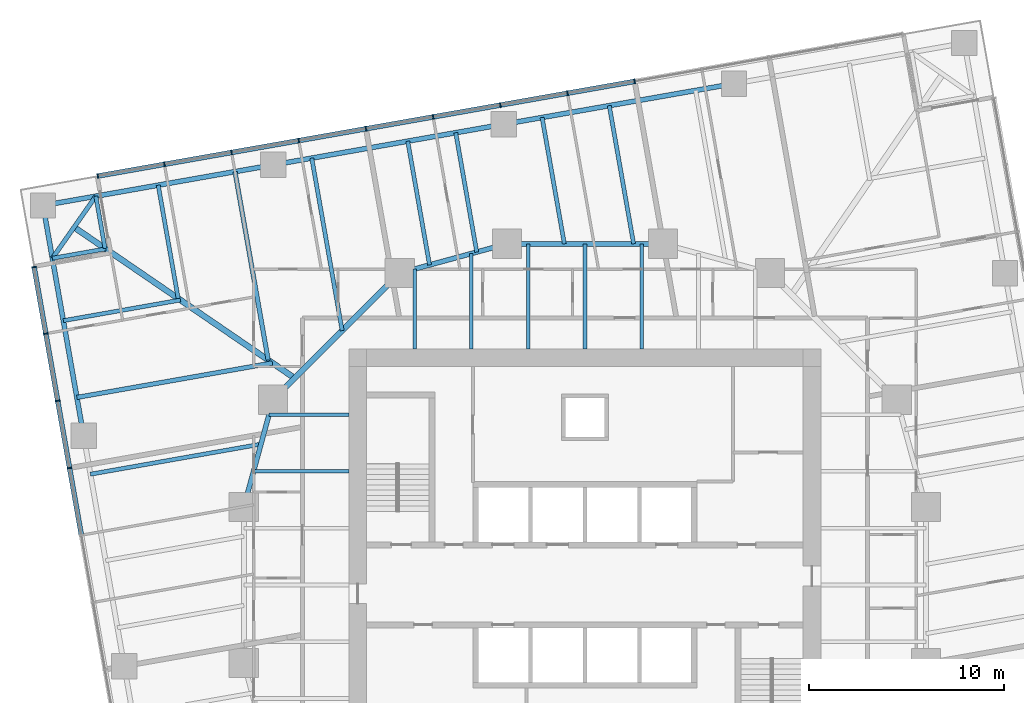
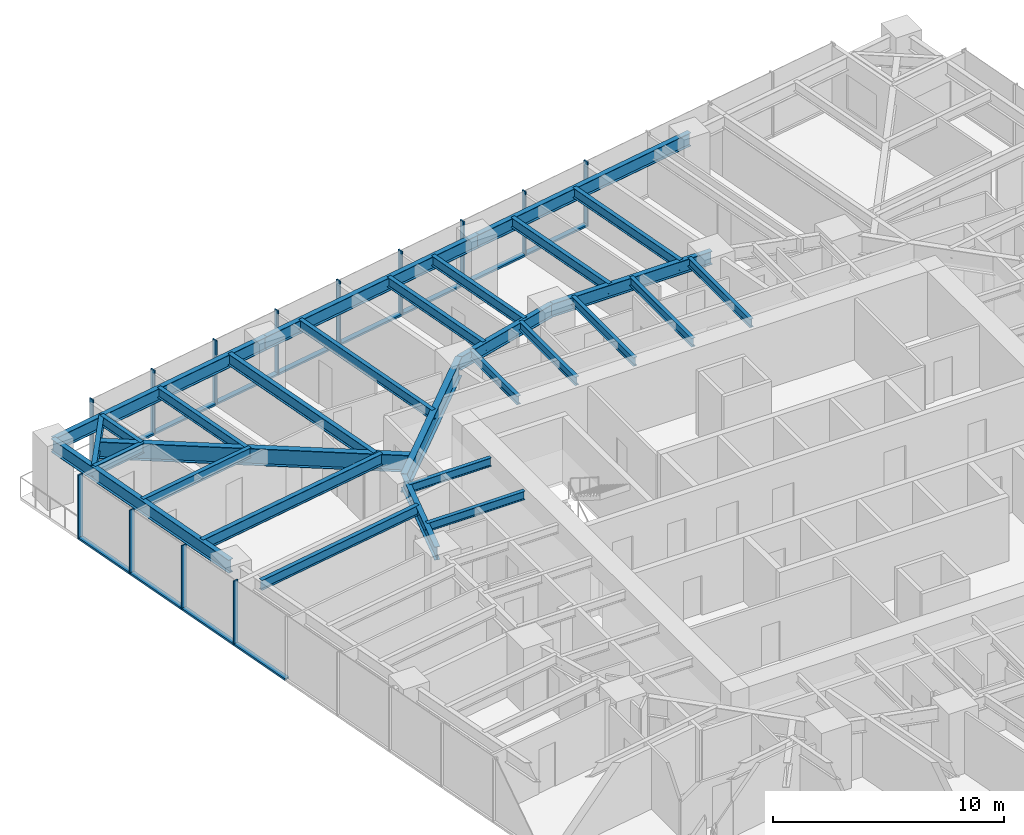
# One storey, part 5 of 14: 29 beams, 25 members, 2 elements without a shape of their own.
"""IFC4 building model written with IfcOpenShell, lengths in metres."""

from ifc_helpers import new_model, si_unit, direction, frame, origin, origin_2d, place, context, subcontext, project, spatial, rectangle, i_section, extrude, material, material_profile, profile_set, type_object, element, aggregate, save


model = new_model("IFC4")

# Units and contexts
model_context = context("Model", 3, precision=1e-05, world=origin(), true_north=direction((0.0, 1.0)))
body_context = subcontext(model_context, "Body", "Model", "MODEL_VIEW")
ifc_project = project(units=[si_unit("LENGTHUNIT", "METRE"), si_unit("AREAUNIT", "SQUARE_METRE"), si_unit("VOLUMEUNIT", "CUBIC_METRE"), si_unit("PLANEANGLEUNIT", "RADIAN"), si_unit("MASSUNIT", "GRAM", prefix="KILO")], contexts=[model_context])

# Site, building, storey
site_placement = place(None, origin())
site = spatial("IfcSite", under=ifc_project, at=site_placement, CompositionType="ELEMENT")
building_placement = place(site_placement, origin())
building = spatial("IfcBuilding", under=site, at=building_placement, Name="Torsade Residences", CompositionType="ELEMENT")
storey_placement = place(building_placement, frame((0.0, 0.0, 93.0)))
storey = spatial("IfcBuildingStorey", under=building, at=storey_placement, Name="L25", CompositionType="ELEMENT", Elevation=93.0)

# Beams
ifc_material_1 = material(Name="Steel grade 300", Category="steel")
ifc_material_profile_1 = material_profile(ifc_material_1, i_section(OverallWidth=0.300048828125, OverallDepth=0.89990234375, WebThickness=0.011962890625, FlangeThickness=0.02490234375, at=origin_2d()), Name="900WB175")
ifc_profile_set_1 = profile_set([ifc_material_profile_1], Name="Steel grade 300")
beam_type_1 = type_object("IfcBeamType", Name="CORNER GIRDER 900WB175", PredefinedType="BEAM", material=ifc_profile_set_1)
beam_1_placement = place(storey_placement, frame((13.7900390625, 48.3525390625, 2.800048828125), z_axis=(0.825279313977, -0.564724759437, 0.0), x_axis=(0.564724759437, 0.825279313977, 0.0)))
element("IfcBeam", 1, at=beam_1_placement, inside=storey, type_object=beam_type_1, Name="Corner girder 13 L26", PredefinedType="BEAM", context=body_context, shape_type="SweptSolid", body=[
    extrude(i_section(OverallWidth=0.300048828125, OverallDepth=0.89990234375, WebThickness=0.011962890625, FlangeThickness=0.02490234375, at=origin_2d()), origin(), (0.0, 0.0, 1.0), 13.7138671875),
])
ifc_material_2 = material(Name="Steel grade 300", Category="steel")
ifc_material_profile_2 = material_profile(ifc_material_2, i_section(OverallWidth=0.22802734375, OverallDepth=0.60205078125, WebThickness=0.010498046875, FlangeThickness=0.014892578125, FilletRadius=0.013916015625, at=origin_2d()), Name="610UB101")
ifc_profile_set_2 = profile_set([ifc_material_profile_2], Name="Steel grade 300")
beam_type_2 = type_object("IfcBeamType", Name="CORNER TRIMMER 610UB101", PredefinedType="BEAM", material=ifc_profile_set_2)
beam_2_placement = place(storey_placement, frame((12.674560546875, 46.759521484375, 2.948974609375), z_axis=(0.573576092373, 0.819152285145, 0.0), x_axis=(-0.819152285145, 0.573576092373, 0.0)))
element("IfcBeam", 2, at=beam_2_placement, inside=storey, type_object=beam_type_2, Name="Corner trimmer 13 L26", PredefinedType="BEAM", context=body_context, shape_type="SweptSolid", body=[
    extrude(i_section(OverallWidth=0.22802734375, OverallDepth=0.60205078125, WebThickness=0.010498046875, FlangeThickness=0.014892578125, FilletRadius=0.013916015625, at=origin_2d()), origin(), (0.0, 0.0, 1.0), 3.88916015625),
])

# Curtain wall, members
ifc_material_3 = material(Name="Aluminium and glass", Category="aluminium")
curtain_wall_type = type_object("IfcCurtainWallType", Name="FRITTED GLASS CURTAIN WALL LOW ZONE", PredefinedType="NOTDEFINED", material=ifc_material_3)
curtain_wall_1_placement = place(storey_placement, origin())
curtain_wall_1 = element("IfcCurtainWall", 3, at=curtain_wall_1_placement, inside=storey, type_object=curtain_wall_type, Name="Curtain wall L25 face 7", PredefinedType="NOTDEFINED")
ifc_material_4 = material(Name="Aluminium mullion", Category="aluminium")
ifc_material_profile_3 = material_profile(ifc_material_4, rectangle(XDim=0.25, YDim=0.06494140625, at=origin_2d()), Name="CURTAIN WALL MULLION 250x65")
ifc_profile_set_3 = profile_set([ifc_material_profile_3], Name="Aluminium mullion")
member_type_1 = type_object("IfcMemberType", Name="CURTAIN WALL MULLION 250x65", PredefinedType="MULLION", material=ifc_profile_set_3)
member_1_placement = place(storey_placement, frame((42.552490234375, 55.835693359375, 0.0), z_axis=(0.0, 0.0, 1.0), x_axis=(0.173648192638, -0.984807750372, 0.0)))
member_1 = element("IfcMember", 4, at=member_1_placement, type_object=member_type_1, Name="Mullion 5", PredefinedType="MULLION", context=body_context, shape_type="SweptSolid", body=[
    extrude(rectangle(XDim=0.25, YDim=0.06494140625, at=origin_2d()), origin(), (0.0, 0.0, 1.0), 3.39990234375),
])
member_2_placement = place(storey_placement, frame((39.105712890625, 55.22802734375, 0.0), z_axis=(0.0, 0.0, 1.0), x_axis=(0.173648192638, -0.984807750372, 0.0)))
member_2 = element("IfcMember", 5, at=member_2_placement, type_object=member_type_1, Name="Mullion 6", PredefinedType="MULLION", context=body_context, shape_type="SweptSolid", body=[
    extrude(rectangle(XDim=0.25, YDim=0.06494140625, at=origin_2d()), origin(), (0.0, 0.0, 1.0), 3.39990234375),
])
member_3_placement = place(storey_placement, frame((35.65869140625, 54.6201171875, 0.0), z_axis=(0.0, 0.0, 1.0), x_axis=(0.173648192638, -0.984807750372, 0.0)))
member_3 = element("IfcMember", 6, at=member_3_placement, type_object=member_type_1, Name="Mullion 7", PredefinedType="MULLION", context=body_context, shape_type="SweptSolid", body=[
    extrude(rectangle(XDim=0.25, YDim=0.06494140625, at=origin_2d()), origin(), (0.0, 0.0, 1.0), 3.39990234375),
])
member_4_placement = place(storey_placement, frame((32.2119140625, 54.012451171875, 0.0), z_axis=(0.0, 0.0, 1.0), x_axis=(0.173648192638, -0.984807750372, 0.0)))
member_4 = element("IfcMember", 7, at=member_4_placement, type_object=member_type_1, Name="Mullion 8", PredefinedType="MULLION", context=body_context, shape_type="SweptSolid", body=[
    extrude(rectangle(XDim=0.25, YDim=0.06494140625, at=origin_2d()), origin(), (0.0, 0.0, 1.0), 3.39990234375),
])
member_5_placement = place(storey_placement, frame((28.76513671875, 53.404541015625, 0.0), z_axis=(0.0, 0.0, 1.0), x_axis=(0.173648192638, -0.984807750372, 0.0)))
member_5 = element("IfcMember", 8, at=member_5_placement, type_object=member_type_1, Name="Mullion 9", PredefinedType="MULLION", context=body_context, shape_type="SweptSolid", body=[
    extrude(rectangle(XDim=0.25, YDim=0.06494140625, at=origin_2d()), origin(), (0.0, 0.0, 1.0), 3.39990234375),
])
member_6_placement = place(storey_placement, frame((25.318359375, 52.796875, 0.0), z_axis=(0.0, 0.0, 1.0), x_axis=(0.173648192638, -0.984807750372, 0.0)))
member_6 = element("IfcMember", 9, at=member_6_placement, type_object=member_type_1, Name="Mullion 10", PredefinedType="MULLION", context=body_context, shape_type="SweptSolid", body=[
    extrude(rectangle(XDim=0.25, YDim=0.06494140625, at=origin_2d()), origin(), (0.0, 0.0, 1.0), 3.39990234375),
])
member_7_placement = place(storey_placement, frame((21.87158203125, 52.189208984375, 0.0), z_axis=(0.0, 0.0, 1.0), x_axis=(0.173648192638, -0.984807750372, 0.0)))
member_7 = element("IfcMember", 10, at=member_7_placement, type_object=member_type_1, Name="Mullion 11", PredefinedType="MULLION", context=body_context, shape_type="SweptSolid", body=[
    extrude(rectangle(XDim=0.25, YDim=0.06494140625, at=origin_2d()), origin(), (0.0, 0.0, 1.0), 3.39990234375),
])
member_8_placement = place(storey_placement, frame((18.424560546875, 51.581298828125, 0.0), z_axis=(0.0, 0.0, 1.0), x_axis=(0.173648192638, -0.984807750372, 0.0)))
member_8 = element("IfcMember", 11, at=member_8_placement, type_object=member_type_1, Name="Mullion 12", PredefinedType="MULLION", context=body_context, shape_type="SweptSolid", body=[
    extrude(rectangle(XDim=0.25, YDim=0.06494140625, at=origin_2d()), origin(), (0.0, 0.0, 1.0), 3.39990234375),
])
member_9_placement = place(storey_placement, frame((15.009765625, 50.979248046875, 0.0), z_axis=(0.0, 0.0, 1.0), x_axis=(0.173648192638, -0.984807750372, 0.0)))
member_9 = element("IfcMember", 12, at=member_9_placement, type_object=member_type_1, Name="Mullion 13", PredefinedType="MULLION", context=body_context, shape_type="SweptSolid", body=[
    extrude(rectangle(XDim=0.25, YDim=0.06494140625, at=origin_2d()), origin(), (0.0, 0.0, 1.0), 3.39990234375),
])

curtain_wall_2_placement = place(storey_placement, origin())
curtain_wall_2 = element("IfcCurtainWall", 13, at=curtain_wall_2_placement, inside=storey, type_object=curtain_wall_type, Name="Curtain wall L25 face 10", PredefinedType="NOTDEFINED")
member_10_placement = place(storey_placement, frame((11.73876953125, 46.307861328125, 0.0), z_axis=(0.0, 0.0, 1.0), x_axis=(0.984807750372, 0.173648192638, 0.0)))
member_10 = element("IfcMember", 14, at=member_10_placement, type_object=member_type_1, Name="Mullion 1", PredefinedType="MULLION", context=body_context, shape_type="SweptSolid", body=[
    extrude(rectangle(XDim=0.25, YDim=0.06494140625, at=origin_2d()), origin(), (0.0, 0.0, 1.0), 3.39990234375),
])
member_11_placement = place(storey_placement, frame((12.341064453125, 42.892822265625, 0.0), z_axis=(0.0, 0.0, 1.0), x_axis=(0.984807750372, 0.173648192638, 0.0)))
member_11 = element("IfcMember", 15, at=member_11_placement, type_object=member_type_1, Name="Mullion 2", PredefinedType="MULLION", context=body_context, shape_type="SweptSolid", body=[
    extrude(rectangle(XDim=0.25, YDim=0.06494140625, at=origin_2d()), origin(), (0.0, 0.0, 1.0), 3.39990234375),
])
member_12_placement = place(storey_placement, frame((12.94873046875, 39.446044921875, 0.0), z_axis=(0.0, 0.0, 1.0), x_axis=(0.984807750372, 0.173648192638, 0.0)))
member_12 = element("IfcMember", 16, at=member_12_placement, type_object=member_type_1, Name="Mullion 3", PredefinedType="MULLION", context=body_context, shape_type="SweptSolid", body=[
    extrude(rectangle(XDim=0.25, YDim=0.06494140625, at=origin_2d()), origin(), (0.0, 0.0, 1.0), 3.39990234375),
])
member_13_placement = place(storey_placement, frame((13.556396484375, 35.999267578125, 0.0), z_axis=(0.0, 0.0, 1.0), x_axis=(0.984807750372, 0.173648192638, 0.0)))
member_13 = element("IfcMember", 17, at=member_13_placement, type_object=member_type_1, Name="Mullion 4", PredefinedType="MULLION", context=body_context, shape_type="SweptSolid", body=[
    extrude(rectangle(XDim=0.25, YDim=0.06494140625, at=origin_2d()), origin(), (0.0, 0.0, 1.0), 3.39990234375),
])

# Member
ifc_material_5 = material(Name="Aluminium transom", Category="aluminium")
ifc_material_profile_4 = material_profile(ifc_material_5, rectangle(XDim=0.25, YDim=0.10009765625, at=origin_2d()), Name="CURTAIN WALL TRANSOM 250x100")
ifc_profile_set_4 = profile_set([ifc_material_profile_4], Name="Aluminium transom")
member_type_2 = type_object("IfcMemberType", Name="CURTAIN WALL TRANSOM 250x100", PredefinedType="USERDEFINED", material=ifc_profile_set_4)
member_14_placement = place(storey_placement, frame((42.5205078125, 55.830078125, 0.050048828125), z_axis=(-0.984810021497, -0.17363531196, 0.0), x_axis=(0.17363531196, -0.984810021497, 0.0)))
member_14 = element("IfcMember", 18, at=member_14_placement, type_object=member_type_2, Name="Transom 5.1", ObjectType="TRANSOM", PredefinedType="USERDEFINED", context=body_context, shape_type="SweptSolid", body=[
    extrude(rectangle(XDim=0.25, YDim=0.10009765625, at=origin_2d()), origin(), (0.0, 0.0, 1.0), 3.43505859375),
])

member_15_placement = place(storey_placement, frame((39.07373046875, 55.222412109375, 0.050048828125), z_axis=(-0.98479786563, -0.173704242465, 0.0), x_axis=(0.173704242465, -0.98479786563, 0.0)))
member_15 = element("IfcMember", 19, at=member_15_placement, type_object=member_type_2, Name="Transom 6.1", ObjectType="TRANSOM", PredefinedType="USERDEFINED", context=body_context, shape_type="SweptSolid", body=[
    extrude(rectangle(XDim=0.25, YDim=0.10009765625, at=origin_2d()), origin(), (0.0, 0.0, 1.0), 3.43505859375),
])

member_16_placement = place(storey_placement, frame((35.626708984375, 54.614501953125, 0.050048828125), z_axis=(-0.984810021497, -0.17363531196, 0.0), x_axis=(0.17363531196, -0.984810021497, 0.0)))
member_16 = element("IfcMember", 20, at=member_16_placement, type_object=member_type_2, Name="Transom 7.1", ObjectType="TRANSOM", PredefinedType="USERDEFINED", context=body_context, shape_type="SweptSolid", body=[
    extrude(rectangle(XDim=0.25, YDim=0.10009765625, at=origin_2d()), origin(), (0.0, 0.0, 1.0), 3.43505859375),
])

member_17_placement = place(storey_placement, frame((32.179931640625, 54.0068359375, 0.050048828125), z_axis=(-0.984810021497, -0.17363531196, 0.0), x_axis=(0.17363531196, -0.984810021497, 0.0)))
member_17 = element("IfcMember", 21, at=member_17_placement, type_object=member_type_2, Name="Transom 8.1", ObjectType="TRANSOM", PredefinedType="USERDEFINED", context=body_context, shape_type="SweptSolid", body=[
    extrude(rectangle(XDim=0.25, YDim=0.10009765625, at=origin_2d()), origin(), (0.0, 0.0, 1.0), 3.43505859375),
])

member_18_placement = place(storey_placement, frame((28.733154296875, 53.39892578125, 0.050048828125), z_axis=(-0.984810021497, -0.17363531196, 0.0), x_axis=(0.17363531196, -0.984810021497, 0.0)))
member_18 = element("IfcMember", 22, at=member_18_placement, type_object=member_type_2, Name="Transom 9.1", ObjectType="TRANSOM", PredefinedType="USERDEFINED", context=body_context, shape_type="SweptSolid", body=[
    extrude(rectangle(XDim=0.25, YDim=0.10009765625, at=origin_2d()), origin(), (0.0, 0.0, 1.0), 3.43505859375),
])

member_19_placement = place(storey_placement, frame((25.286376953125, 52.791259765625, 0.050048828125), z_axis=(-0.984810021497, -0.17363531196, 0.0), x_axis=(0.17363531196, -0.984810021497, 0.0)))
member_19 = element("IfcMember", 23, at=member_19_placement, type_object=member_type_2, Name="Transom 10.1", ObjectType="TRANSOM", PredefinedType="USERDEFINED", context=body_context, shape_type="SweptSolid", body=[
    extrude(rectangle(XDim=0.25, YDim=0.10009765625, at=origin_2d()), origin(), (0.0, 0.0, 1.0), 3.43505859375),
])

member_20_placement = place(storey_placement, frame((21.839599609375, 52.18359375, 0.050048828125), z_axis=(-0.98479786563, -0.173704242465, 0.0), x_axis=(0.173704242465, -0.98479786563, 0.0)))
member_20 = element("IfcMember", 24, at=member_20_placement, type_object=member_type_2, Name="Transom 11.1", ObjectType="TRANSOM", PredefinedType="USERDEFINED", context=body_context, shape_type="SweptSolid", body=[
    extrude(rectangle(XDim=0.25, YDim=0.10009765625, at=origin_2d()), origin(), (0.0, 0.0, 1.0), 3.43505859375),
])

member_21_placement = place(storey_placement, frame((18.392578125, 51.57568359375, 0.050048828125), z_axis=(-0.984808830466, -0.173642067011, 0.0), x_axis=(0.173642067011, -0.984808830466, 0.0)))
member_21 = element("IfcMember", 25, at=member_21_placement, type_object=member_type_2, Name="Transom 12.1", ObjectType="TRANSOM", PredefinedType="USERDEFINED", context=body_context, shape_type="SweptSolid", body=[
    extrude(rectangle(XDim=0.25, YDim=0.10009765625, at=origin_2d()), origin(), (0.0, 0.0, 1.0), 3.402587890625),
])

aggregate(curtain_wall_1, [member_1, member_2, member_3, member_4, member_5, member_6, member_7, member_8, member_9, member_14, member_15, member_16, member_17, member_18, member_19, member_20, member_21])

member_22_placement = place(storey_placement, frame((11.744384765625, 46.275634765625, 0.050048828125), z_axis=(0.173654337918, -0.984806666774, 0.0), x_axis=(0.984806666774, 0.173654337918, 0.0)))
member_22 = element("IfcMember", 26, at=member_22_placement, type_object=member_type_2, Name="Transom 1.1", ObjectType="TRANSOM", PredefinedType="USERDEFINED", context=body_context, shape_type="SweptSolid", body=[
    extrude(rectangle(XDim=0.25, YDim=0.10009765625, at=origin_2d()), origin(), (0.0, 0.0, 1.0), 3.40234375),
])

member_23_placement = place(storey_placement, frame((12.3466796875, 42.86083984375, 0.050048828125), z_axis=(0.17363531196, -0.984810021497, 0.0), x_axis=(0.984810021497, 0.17363531196, 0.0)))
member_23 = element("IfcMember", 27, at=member_23_placement, type_object=member_type_2, Name="Transom 2.1", ObjectType="TRANSOM", PredefinedType="USERDEFINED", context=body_context, shape_type="SweptSolid", body=[
    extrude(rectangle(XDim=0.25, YDim=0.10009765625, at=origin_2d()), origin(), (0.0, 0.0, 1.0), 3.43505859375),
])

member_24_placement = place(storey_placement, frame((12.954345703125, 39.4140625, 0.050048828125), z_axis=(0.17363531196, -0.984810021497, 0.0), x_axis=(0.984810021497, 0.17363531196, 0.0)))
member_24 = element("IfcMember", 28, at=member_24_placement, type_object=member_type_2, Name="Transom 3.1", ObjectType="TRANSOM", PredefinedType="USERDEFINED", context=body_context, shape_type="SweptSolid", body=[
    extrude(rectangle(XDim=0.25, YDim=0.10009765625, at=origin_2d()), origin(), (0.0, 0.0, 1.0), 3.43505859375),
])

member_25_placement = place(storey_placement, frame((13.562255859375, 35.96728515625, 0.050048828125), z_axis=(0.17363531196, -0.984810021497, 0.0), x_axis=(0.984810021497, 0.17363531196, 0.0)))
member_25 = element("IfcMember", 29, at=member_25_placement, type_object=member_type_2, Name="Transom 4.1", ObjectType="TRANSOM", PredefinedType="USERDEFINED", context=body_context, shape_type="SweptSolid", body=[
    extrude(rectangle(XDim=0.25, YDim=0.10009765625, at=origin_2d()), origin(), (0.0, 0.0, 1.0), 3.43505859375),
])

aggregate(curtain_wall_2, [member_10, member_11, member_12, member_13, member_22, member_23, member_24, member_25])

# Beams
ifc_material_6 = material(Name="Steel grade 300", Category="steel")
ifc_material_profile_5 = material_profile(ifc_material_6, i_section(OverallWidth=0.25, OverallDepth=0.699951171875, WebThickness=0.010009765625, FlangeThickness=0.02001953125, at=origin_2d()), Name="700WB130")
ifc_profile_set_5 = profile_set([ifc_material_profile_5], Name="Steel grade 300")
beam_type_3 = type_object("IfcBeamType", Name="EDGE BEAM 700WB130", PredefinedType="SPANDREL", material=ifc_profile_set_5)
beam_3_placement = place(storey_placement, frame((47.650146484375, 55.71923828125, 2.89990234375), z_axis=(-0.984808127031, -0.173646056486, 0.0), x_axis=(0.173646056486, -0.984808127031, 0.0)))
element("IfcBeam", 30, at=beam_3_placement, inside=storey, type_object=beam_type_3, Name="Edge beam 10 L26", PredefinedType="SPANDREL", context=body_context, shape_type="SweptSolid", body=[
    extrude(i_section(OverallWidth=0.25, OverallDepth=0.699951171875, WebThickness=0.010009765625, FlangeThickness=0.02001953125, at=origin_2d()), origin(), (0.0, 0.0, 1.0), 12.0),
])
beam_4_placement = place(storey_placement, frame((35.83251953125, 53.635498046875, 2.89990234375), z_axis=(-0.984805261243, -0.173662308598, 0.0), x_axis=(0.173662308598, -0.984805261243, 0.0)))
element("IfcBeam", 31, at=beam_4_placement, inside=storey, type_object=beam_type_3, Name="Edge beam 11 L26", PredefinedType="SPANDREL", context=body_context, shape_type="SweptSolid", body=[
    extrude(i_section(OverallWidth=0.25, OverallDepth=0.699951171875, WebThickness=0.010009765625, FlangeThickness=0.02001953125, at=origin_2d()), origin(), (0.0, 0.0, 1.0), 12.000244140625),
])
for number, where, z_axis, x_axis, name in (
    (32, (24.0146484375, 51.551513671875, 2.89990234375), (-0.984808127031, -0.173646056486, 0.0), (0.173646056486, -0.984808127031, 0.0), "Edge beam 12 L26"),
    (33, (12.197021484375, 49.4677734375, 2.89990234375), (0.173646056486, -0.984808127031, 0.0), (0.984808127031, 0.173646056486, 0.0), "Edge beam 13 L26"),
):
    element("IfcBeam", number, at=place(storey_placement, frame(where, z_axis=z_axis, x_axis=x_axis)), inside=storey, type_object=beam_type_3, Name=name, PredefinedType="SPANDREL", context=body_context, shape_type="SweptSolid", body=[
        extrude(i_section(OverallWidth=0.25, OverallDepth=0.699951171875, WebThickness=0.010009765625, FlangeThickness=0.02001953125, at=origin_2d()), origin(), (0.0, 0.0, 1.0), 12.0),
    ])
ifc_material_7 = material(Name="Steel grade 300", Category="steel")
ifc_material_profile_6 = material_profile(ifc_material_7, i_section(OverallWidth=0.18994140625, OverallDepth=0.4541015625, WebThickness=0.008544921875, FlangeThickness=0.0126953125, FilletRadius=0.011474609375, at=origin_2d()), Name="460UB67.1")
ifc_profile_set_6 = profile_set([ifc_material_profile_6], Name="Steel grade 300")
beam_type_4 = type_object("IfcBeamType", Name="INNER FLOOR BEAM 460UB67.1", PredefinedType="JOIST", material=ifc_profile_set_6)
beam_5_placement = place(storey_placement, frame((31.262451171875, 42.10009765625, 3.02294921875), z_axis=(0.0, 1.0, 0.0), x_axis=(-1.0, 0.0, 0.0)))
element("IfcBeam", 34, at=beam_5_placement, inside=storey, type_object=beam_type_4, Name="Inner floor beam IN01 L26", PredefinedType="JOIST", context=body_context, shape_type="SweptSolid", body=[
    extrude(i_section(OverallWidth=0.18994140625, OverallDepth=0.4541015625, WebThickness=0.008544921875, FlangeThickness=0.0126953125, FilletRadius=0.011474609375, at=origin_2d()), origin(), (0.0, 0.0, 1.0), 4.10791015625),
])
beam_6_placement = place(storey_placement, frame((34.175048828125, 42.10009765625, 3.02294921875), z_axis=(0.0, 1.0, 0.0), x_axis=(-1.0, 0.0, 0.0)))
element("IfcBeam", 35, at=beam_6_placement, inside=storey, type_object=beam_type_4, Name="Inner floor beam IN02 L26", PredefinedType="JOIST", context=body_context, shape_type="SweptSolid", body=[
    extrude(i_section(OverallWidth=0.18994140625, OverallDepth=0.4541015625, WebThickness=0.008544921875, FlangeThickness=0.0126953125, FilletRadius=0.011474609375, at=origin_2d()), origin(), (0.0, 0.0, 1.0), 4.902099609375),
])
for number, where, z_axis, x_axis, name in (
    (36, (37.08740234375, 42.10009765625, 3.02294921875), (0.0, 1.0, 0.0), (-1.0, 0.0, 0.0), "Inner floor beam IN03 L26"),
    (37, (40.0, 42.10009765625, 3.02294921875), (0.0, 1.0, 0.0), (-1.0, 0.0, 0.0), "Inner floor beam IN04 L26"),
    (38, (42.91259765625, 42.10009765625, 3.02294921875), (0.0, 1.0, 0.0), (-1.0, 0.0, 0.0), "Inner floor beam IN05 L26"),
):
    element("IfcBeam", number, at=place(storey_placement, frame(where, z_axis=z_axis, x_axis=x_axis)), inside=storey, type_object=beam_type_4, Name=name, PredefinedType="JOIST", context=body_context, shape_type="SweptSolid", body=[
        extrude(i_section(OverallWidth=0.18994140625, OverallDepth=0.4541015625, WebThickness=0.008544921875, FlangeThickness=0.0126953125, FilletRadius=0.011474609375, at=origin_2d()), origin(), (0.0, 0.0, 1.0), 5.39990234375),
    ])
beam_7_placement = place(storey_placement, frame((27.89990234375, 38.737548828125, 3.02294921875), z_axis=(-1.0, 0.0, 0.0), x_axis=(0.0, -1.0, 0.0)))
element("IfcBeam", 39, at=beam_7_placement, inside=storey, type_object=beam_type_4, Name="Inner floor beam IW01 L26", PredefinedType="JOIST", context=body_context, shape_type="SweptSolid", body=[
    extrude(i_section(OverallWidth=0.18994140625, OverallDepth=0.4541015625, WebThickness=0.008544921875, FlangeThickness=0.0126953125, FilletRadius=0.011474609375, at=origin_2d()), origin(), (0.0, 0.0, 1.0), 4.10791015625),
])
beam_8_placement = place(storey_placement, frame((27.89990234375, 35.824951171875, 3.02294921875), z_axis=(-1.0, 0.0, 0.0), x_axis=(0.0, -1.0, 0.0)))
element("IfcBeam", 40, at=beam_8_placement, inside=storey, type_object=beam_type_4, Name="Inner floor beam IW02 L26", PredefinedType="JOIST", context=body_context, shape_type="SweptSolid", body=[
    extrude(i_section(OverallWidth=0.18994140625, OverallDepth=0.4541015625, WebThickness=0.008544921875, FlangeThickness=0.0126953125, FilletRadius=0.011474609375, at=origin_2d()), origin(), (0.0, 0.0, 1.0), 4.902099609375),
])
ifc_material_8 = material(Name="Steel grade 300", Category="steel")
ifc_material_profile_7 = material_profile(ifc_material_8, i_section(OverallWidth=0.300048828125, OverallDepth=1.0, WebThickness=0.01611328125, FlangeThickness=0.028076171875, at=origin_2d()), Name="1000WB215")
ifc_profile_set_7 = profile_set([ifc_material_profile_7], Name="Steel grade 300")
beam_type_5 = type_object("IfcBeamType", Name="RING CORNER GIRDER 1000WB215", PredefinedType="BEAM", material=ifc_profile_set_7)
beam_9_placement = place(storey_placement, frame((30.5, 46.0, 2.75), z_axis=(-0.707106781187, -0.707106781187, 0.0), x_axis=(0.707106781187, -0.707106781187, 0.0)))
element("IfcBeam", 41, at=beam_9_placement, inside=storey, type_object=beam_type_5, Name="Ring girder IR07 L26", PredefinedType="BEAM", context=body_context, shape_type="SweptSolid", body=[
    extrude(i_section(OverallWidth=0.300048828125, OverallDepth=1.0, WebThickness=0.01611328125, FlangeThickness=0.028076171875, at=origin_2d()), origin(), (0.0, 0.0, 1.0), 9.1923828125),
])
ifc_material_9 = material(Name="Steel grade 300", Category="steel")
ifc_material_profile_8 = material_profile(ifc_material_9, i_section(OverallWidth=0.25, OverallDepth=0.699951171875, WebThickness=0.010009765625, FlangeThickness=0.02001953125, at=origin_2d()), Name="700WB130")
ifc_profile_set_8 = profile_set([ifc_material_profile_8], Name="Steel grade 300")
beam_type_6 = type_object("IfcBeamType", Name="RING GIRDER 700WB130", PredefinedType="BEAM", material=ifc_profile_set_8)
beam_10_placement = place(storey_placement, frame((44.0, 47.5, 2.89990234375), z_axis=(-1.0, 0.0, 0.0), x_axis=(0.0, -1.0, 0.0)))
element("IfcBeam", 42, at=beam_10_placement, inside=storey, type_object=beam_type_6, Name="Ring girder IR05 L26", PredefinedType="BEAM", context=body_context, shape_type="SweptSolid", body=[
    extrude(i_section(OverallWidth=0.25, OverallDepth=0.699951171875, WebThickness=0.010009765625, FlangeThickness=0.02001953125, at=origin_2d()), origin(), (0.0, 0.0, 1.0), 8.0),
])
for number, where, z_axis, x_axis, name in (
    (43, (36.0, 47.5, 2.89990234375), (-0.964763821238, -0.263117405792, 0.0), (0.263117405792, -0.964763821238, 0.0), "Ring girder IR06 L26"),
    (44, (24.0, 39.5, 2.89990234375), (-0.263117405792, -0.964763821238, 0.0), (0.964763821238, -0.263117405792, 0.0), "Ring girder IR08 L26"),
):
    element("IfcBeam", number, at=place(storey_placement, frame(where, z_axis=z_axis, x_axis=x_axis)), inside=storey, type_object=beam_type_6, Name=name, PredefinedType="BEAM", context=body_context, shape_type="SweptSolid", body=[
        extrude(i_section(OverallWidth=0.25, OverallDepth=0.699951171875, WebThickness=0.010009765625, FlangeThickness=0.02001953125, at=origin_2d()), origin(), (0.0, 0.0, 1.0), 5.700927734375),
    ])
ifc_material_10 = material(Name="Steel grade 300", Category="steel")
ifc_material_profile_9 = material_profile(ifc_material_10, i_section(OverallWidth=0.208984375, OverallDepth=0.528076171875, WebThickness=0.009521484375, FlangeThickness=0.01318359375, FilletRadius=0.013916015625, at=origin_2d()), Name="530UB82.0")
ifc_profile_set_9 = profile_set([ifc_material_profile_9], Name="Steel grade 300")
beam_type_7 = type_object("IfcBeamType", Name="SECONDARY BEAM 530UB82.0", PredefinedType="JOIST", material=ifc_profile_set_9)
beam_11_placement = place(storey_placement, frame((41.248779296875, 54.59033203125, 2.986083984375), z_axis=(0.173651855324, -0.984807104535, 0.0), x_axis=(0.984807104535, 0.173651855324, 0.0)))
element("IfcBeam", 45, at=beam_11_placement, inside=storey, type_object=beam_type_7, Name="Floor beam FN05 L26", PredefinedType="JOIST", context=body_context, shape_type="SweptSolid", body=[
    extrude(i_section(OverallWidth=0.208984375, OverallDepth=0.528076171875, WebThickness=0.009521484375, FlangeThickness=0.01318359375, FilletRadius=0.013916015625, at=origin_2d()), origin(), (0.0, 0.0, 1.0), 7.19970703125),
])
beam_12_placement = place(storey_placement, frame((37.802001953125, 53.982666015625, 2.986083984375), z_axis=(0.173647806501, -0.984807818459, 0.0), x_axis=(0.984807818459, 0.173647806501, 0.0)))
element("IfcBeam", 46, at=beam_12_placement, inside=storey, type_object=beam_type_7, Name="Floor beam FN06 L26", PredefinedType="JOIST", context=body_context, shape_type="SweptSolid", body=[
    extrude(i_section(OverallWidth=0.208984375, OverallDepth=0.528076171875, WebThickness=0.009521484375, FlangeThickness=0.01318359375, FilletRadius=0.013916015625, at=origin_2d()), origin(), (0.0, 0.0, 1.0), 6.582763671875),
])
beam_13_placement = place(storey_placement, frame((33.370361328125, 53.201171875, 2.986083984375), z_axis=(0.173655425542, -0.984806474989, 0.0), x_axis=(0.984806474989, 0.173655425542, 0.0)))
element("IfcBeam", 47, at=beam_13_placement, inside=storey, type_object=beam_type_7, Name="Floor beam FN07 L26", PredefinedType="JOIST", context=body_context, shape_type="SweptSolid", body=[
    extrude(i_section(OverallWidth=0.208984375, OverallDepth=0.528076171875, WebThickness=0.009521484375, FlangeThickness=0.01318359375, FilletRadius=0.013916015625, at=origin_2d()), origin(), (0.0, 0.0, 1.0), 6.21826171875),
])
beam_14_placement = place(storey_placement, frame((30.908447265625, 52.76708984375, 2.986083984375), z_axis=(0.17363198078, -0.984810608823, 0.0), x_axis=(0.984810608823, 0.17363198078, 0.0)))
element("IfcBeam", 48, at=beam_14_placement, inside=storey, type_object=beam_type_7, Name="Floor beam FN08 L26", PredefinedType="JOIST", context=body_context, shape_type="SweptSolid", body=[
    extrude(i_section(OverallWidth=0.208984375, OverallDepth=0.528076171875, WebThickness=0.009521484375, FlangeThickness=0.01318359375, FilletRadius=0.013916015625, at=origin_2d()), origin(), (0.0, 0.0, 1.0), 6.4482421875),
])
beam_15_placement = place(storey_placement, frame((25.984375, 51.89892578125, 2.986083984375), z_axis=(0.173639706679, -0.984809246638, 0.0), x_axis=(0.984809246638, 0.173639706679, 0.0)))
element("IfcBeam", 49, at=beam_15_placement, inside=storey, type_object=beam_type_7, Name="Floor beam FN09 L26", PredefinedType="JOIST", context=body_context, shape_type="SweptSolid", body=[
    extrude(i_section(OverallWidth=0.208984375, OverallDepth=0.528076171875, WebThickness=0.009521484375, FlangeThickness=0.01318359375, FilletRadius=0.013916015625, at=origin_2d()), origin(), (0.0, 0.0, 1.0), 8.989990234375),
])
beam_16_placement = place(storey_placement, frame((18.10595703125, 50.509765625, 2.986083984375), z_axis=(0.173629569808, -0.984811033899, 0.0), x_axis=(0.984811033899, 0.173629569808, 0.0)))
element("IfcBeam", 50, at=beam_16_placement, inside=storey, type_object=beam_type_7, Name="Floor beam FN11 L26", PredefinedType="JOIST", context=body_context, shape_type="SweptSolid", body=[
    extrude(i_section(OverallWidth=0.208984375, OverallDepth=0.528076171875, WebThickness=0.009521484375, FlangeThickness=0.01318359375, FilletRadius=0.013916015625, at=origin_2d()), origin(), (0.0, 0.0, 1.0), 5.9013671875),
])
beam_17_placement = place(storey_placement, frame((14.9052734375, 49.9453125, 2.986083984375), z_axis=(0.17364710834, -0.984807941563, 0.0), x_axis=(0.984807941563, 0.17364710834, 0.0)))
element("IfcBeam", 51, at=beam_17_placement, inside=storey, type_object=beam_type_7, Name="Floor beam FN12 L26", PredefinedType="JOIST", context=body_context, shape_type="SweptSolid", body=[
    extrude(i_section(OverallWidth=0.208984375, OverallDepth=0.528076171875, WebThickness=0.009521484375, FlangeThickness=0.01318359375, FilletRadius=0.013916015625, at=origin_2d()), origin(), (0.0, 0.0, 1.0), 2.720458984375),
])
beam_18_placement = place(storey_placement, frame((12.674560546875, 46.759521484375, 2.986083984375), z_axis=(0.984797700832, 0.173705176765, 0.0), x_axis=(-0.173705176765, 0.984797700832, 0.0)))
element("IfcBeam", 52, at=beam_18_placement, inside=storey, type_object=beam_type_7, Name="Floor beam FW01 L26", PredefinedType="JOIST", context=body_context, shape_type="SweptSolid", body=[
    extrude(i_section(OverallWidth=0.208984375, OverallDepth=0.528076171875, WebThickness=0.009521484375, FlangeThickness=0.01318359375, FilletRadius=0.013916015625, at=origin_2d()), origin(), (0.0, 0.0, 1.0), 2.780029296875),
])
beam_19_placement = place(storey_placement, frame((13.239013671875, 43.55908203125, 2.986083984375), z_axis=(0.984809331556, 0.173639225065, 0.0), x_axis=(-0.173639225065, 0.984809331556, 0.0)))
element("IfcBeam", 53, at=beam_19_placement, inside=storey, type_object=beam_type_7, Name="Floor beam FW02 L26", PredefinedType="JOIST", context=body_context, shape_type="SweptSolid", body=[
    extrude(i_section(OverallWidth=0.208984375, OverallDepth=0.528076171875, WebThickness=0.009521484375, FlangeThickness=0.01318359375, FilletRadius=0.013916015625, at=origin_2d()), origin(), (0.0, 0.0, 1.0), 6.100830078125),
])
beam_20_placement = place(storey_placement, frame((14.628173828125, 35.680419921875, 2.986083984375), z_axis=(0.984804296147, 0.173667781384, 0.0), x_axis=(-0.173667781384, 0.984804296147, 0.0)))
element("IfcBeam", 54, at=beam_20_placement, inside=storey, type_object=beam_type_7, Name="Floor beam FW04 L26", PredefinedType="JOIST", context=body_context, shape_type="SweptSolid", body=[
    extrude(i_section(OverallWidth=0.208984375, OverallDepth=0.528076171875, WebThickness=0.009521484375, FlangeThickness=0.01318359375, FilletRadius=0.013916015625, at=origin_2d()), origin(), (0.0, 0.0, 1.0), 8.885986328125),
])
ifc_material_11 = material(Name="Steel grade 300", Category="steel")
ifc_material_profile_10 = material_profile(ifc_material_11, i_section(OverallWidth=0.22900390625, OverallDepth=0.612060546875, WebThickness=0.011962890625, FlangeThickness=0.01953125, FilletRadius=0.013916015625, at=origin_2d()), Name="610UB125")
ifc_profile_set_10 = profile_set([ifc_material_profile_10], Name="Steel grade 300")
beam_type_8 = type_object("IfcBeamType", Name="SECONDARY BEAM 610UB125", PredefinedType="JOIST", material=ifc_profile_set_10)
beam_21_placement = place(storey_placement, frame((22.045166015625, 51.204345703125, 2.944091796875), z_axis=(0.173651961637, -0.984807085789, 0.0), x_axis=(0.984807085789, 0.173651961637, 0.0)))
element("IfcBeam", 55, at=beam_21_placement, inside=storey, type_object=beam_type_8, Name="Floor beam FN10 L26", PredefinedType="JOIST", context=body_context, shape_type="SweptSolid", body=[
    extrude(i_section(OverallWidth=0.22900390625, OverallDepth=0.612060546875, WebThickness=0.011962890625, FlangeThickness=0.01953125, FilletRadius=0.013916015625, at=origin_2d()), origin(), (0.0, 0.0, 1.0), 9.816162109375),
])
beam_22_placement = place(storey_placement, frame((13.93359375, 39.619873046875, 2.944091796875), z_axis=(0.984808397525, 0.173644522411, 0.0), x_axis=(-0.173644522411, 0.984808397525, 0.0)))
element("IfcBeam", 56, at=beam_22_placement, inside=storey, type_object=beam_type_8, Name="Floor beam FW03 L26", PredefinedType="JOIST", context=body_context, shape_type="SweptSolid", body=[
    extrude(i_section(OverallWidth=0.22900390625, OverallDepth=0.612060546875, WebThickness=0.011962890625, FlangeThickness=0.01953125, FilletRadius=0.013916015625, at=origin_2d()), origin(), (0.0, 0.0, 1.0), 10.187744140625),
])

save(model, "model.ifc")
